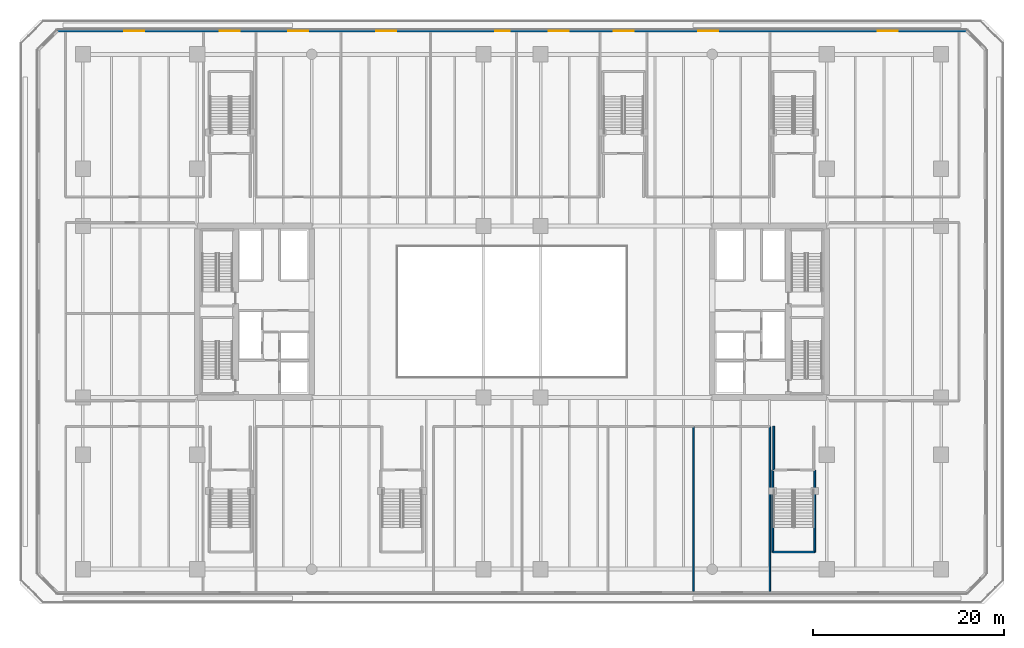
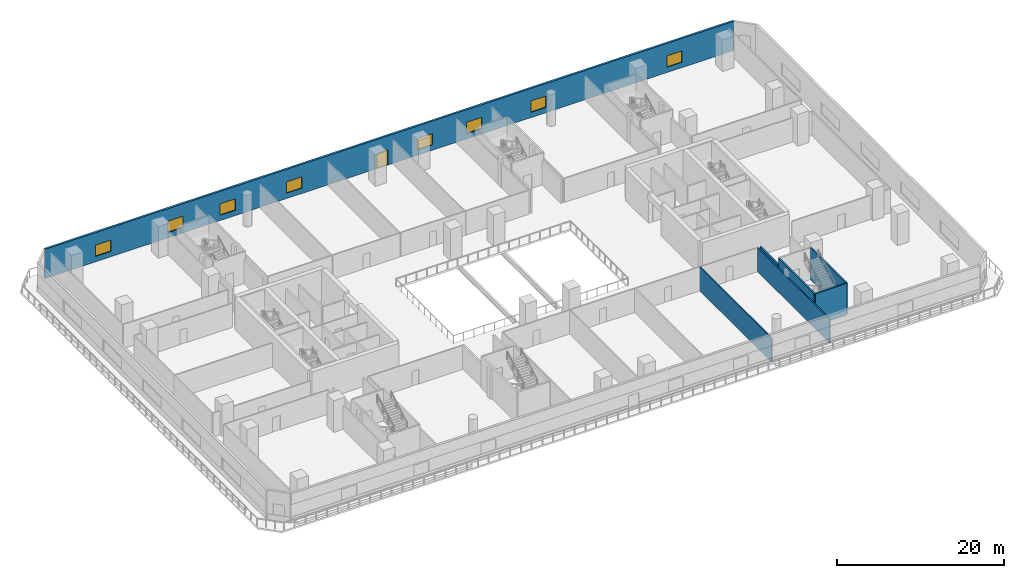
# One storey, part 7 of 27: 8 windows, 7 walls, 1 door, 9 openings.
"""IFC4 building model written with IfcOpenShell, lengths in metres."""

from ifc_helpers import new_model, si_unit, direction, frame, frame_2d, origin, place, context, subcontext, project, spatial, rectangle, extrude, material, layer, layer_set, type_object, element, fill, save


model = new_model("IFC4")

# Units and contexts
model_context = context("Model", 3, precision=1e-05, world=origin(), true_north=direction((0.0, 1.0)))
body_context = subcontext(model_context, "Body", "Model", "MODEL_VIEW")
ifc_project = project(units=[si_unit("LENGTHUNIT", "METRE"), si_unit("AREAUNIT", "SQUARE_METRE"), si_unit("VOLUMEUNIT", "CUBIC_METRE"), si_unit("PLANEANGLEUNIT", "RADIAN"), si_unit("MASSUNIT", "GRAM", prefix="KILO")], contexts=[model_context])

# Site, building, storey
site_placement = place(None, origin())
site = spatial("IfcSite", under=ifc_project, at=site_placement, CompositionType="ELEMENT")
building_placement = place(site_placement, origin())
building = spatial("IfcBuilding", under=site, at=building_placement, Name="Tanjung Sevakor Pilgrim Tower", CompositionType="ELEMENT")
storey_placement = place(building_placement, frame((0.0, 0.0, 19.469970703125)))
storey = spatial("IfcBuildingStorey", under=building, at=storey_placement, Name="L05", CompositionType="ELEMENT", Elevation=19.469970703125)

# Walls
ifc_material_1 = material(Name="Concrete C40/50", Category="concrete")
ifc_layer_1 = layer(ifc_material_1, 0.14990234375)
ifc_layer_set_1 = layer_set([ifc_layer_1], Name="WT-COMP-150")
wall_type_1 = type_object("IfcWallType", Name="WT-COMP-150", PredefinedType="SOLIDWALL", material=ifc_layer_set_1)
for number, where, z_axis, x_axis, name in (
    (1, (76.050048828125, 4.280029296875, 0.0), (0.0, 0.0, 1.0), (0.0, 1.0, 0.0), "L05 Partition IW-L05-045"),
    (2, (84.050048828125, 4.280029296875, 0.0), (0.0, 0.0, 1.0), (0.0, 1.0, 0.0), "L05 Partition IW-L05-047"),
):
    element("IfcWall", number, at=place(storey_placement, frame(where, z_axis=z_axis, x_axis=x_axis)), inside=storey, type_object=wall_type_1, Name=name, PredefinedType="SOLIDWALL", context=body_context, shape_type="SweptSolid", body=[
        extrude(rectangle(XDim=17.27001953125, YDim=0.14990234375, at=frame_2d((8.635009765625, 0.0))), origin(), (0.0, 0.0, 1.0), 3.489990234375),
    ])

# Wall, openings, door, windows
ifc_material_2 = material(Name="Precast concrete C45/55", Category="concrete")
ifc_layer_2 = layer(ifc_material_2, 0.280029296875)
ifc_layer_set_2 = layer_set([ifc_layer_2], Name="WT-EW-STN2")
wall_type_2 = type_object("IfcWallType", Name="WT-EW-STN2", PredefinedType="SOLIDWALL", material=ifc_layer_set_2)
wall_1_placement = place(storey_placement, frame((104.64208984375, 63.06005859375, 0.0), z_axis=(0.0, 0.0, 1.0), x_axis=(-1.0, 0.0, 0.0)))
wall_1 = element("IfcWall", 3, at=wall_1_placement, inside=storey, type_object=wall_type_2, Name="L05 MAIN Exterior Wall 5", PredefinedType="SOLIDWALL", context=body_context, shape_type="SweptSolid", body=[
    extrude(rectangle(XDim=95.2841796875, YDim=0.280029296875, at=frame_2d((47.64208984375, 0.0))), origin(), (0.0, 0.0, 1.0), 4.27001953125),
])
opening_1_placement = place(wall_1_placement, frame((47.89208984375, 0.0, 0.0)))
opening_1 = element("IfcOpeningElement", 4, at=opening_1_placement, cuts=wall_1, Name="Opening ED-TER-1500", PredefinedType="OPENING", context=body_context, shape_type="SweptSolid", body=[
    extrude(rectangle(XDim=1.5, YDim=2.199951171875, at=frame_2d((0.75, 1.10009765625))), frame((0.0, 0.14990234375, 0.0), z_axis=(0.0, -1.0, 0.0), x_axis=(1.0, 0.0, 0.0)), (0.0, 0.0, 1.0), 0.300048828125),
])
opening_2_placement = place(wall_1_placement, frame((86.19189453125, 0.0, 0.780029296875)))
opening_2 = element("IfcOpeningElement", 5, at=opening_2_placement, cuts=wall_1, Name="Opening WN-P2-1660", PredefinedType="OPENING", context=body_context, shape_type="SweptSolid", body=[
    extrude(rectangle(XDim=2.10009765625, YDim=1.659912109375, at=frame_2d((1.050048828125, 0.830078125))), frame((0.0, 0.14990234375, 0.0), z_axis=(0.0, -1.0, 0.0), x_axis=(1.0, 0.0, 0.0)), (0.0, 0.0, 1.0), 0.300048828125),
])
opening_3_placement = place(wall_1_placement, frame((68.991943359375, 0.0, 0.780029296875)))
opening_3 = element("IfcOpeningElement", 6, at=opening_3_placement, cuts=wall_1, Name="Opening WN-P2-1660", PredefinedType="OPENING", context=body_context, shape_type="SweptSolid", body=[
    extrude(rectangle(XDim=2.10009765625, YDim=1.659912109375, at=frame_2d((1.050048828125, 0.830078125))), frame((0.0, 0.14990234375, 0.0), z_axis=(0.0, -1.0, 0.0), x_axis=(1.0, 0.0, 0.0)), (0.0, 0.0, 1.0), 0.300048828125),
])
opening_4_placement = place(wall_1_placement, frame((59.7919921875, 0.0, 0.780029296875)))
opening_4 = element("IfcOpeningElement", 7, at=opening_4_placement, cuts=wall_1, Name="Opening WN-P2-1660", PredefinedType="OPENING", context=body_context, shape_type="SweptSolid", body=[
    extrude(rectangle(XDim=2.10009765625, YDim=1.659912109375, at=frame_2d((1.050048828125, 0.830078125))), frame((0.0, 0.14990234375, 0.0), z_axis=(0.0, -1.0, 0.0), x_axis=(1.0, 0.0, 0.0)), (0.0, 0.0, 1.0), 0.300048828125),
])
opening_5_placement = place(wall_1_placement, frame((41.69189453125, 0.0, 0.780029296875)))
opening_5 = element("IfcOpeningElement", 8, at=opening_5_placement, cuts=wall_1, Name="Opening WN-P2-1660", PredefinedType="OPENING", context=body_context, shape_type="SweptSolid", body=[
    extrude(rectangle(XDim=2.10009765625, YDim=1.659912109375, at=frame_2d((1.050048828125, 0.830078125))), frame((0.0, 0.14990234375, 0.0), z_axis=(0.0, -1.0, 0.0), x_axis=(1.0, 0.0, 0.0)), (0.0, 0.0, 1.0), 0.300048828125),
])
opening_6_placement = place(wall_1_placement, frame((25.991943359375, 0.0, 0.780029296875)))
opening_6 = element("IfcOpeningElement", 9, at=opening_6_placement, cuts=wall_1, Name="Opening WN-P2-1660", PredefinedType="OPENING", context=body_context, shape_type="SweptSolid", body=[
    extrude(rectangle(XDim=2.10009765625, YDim=1.659912109375, at=frame_2d((1.050048828125, 0.830078125))), frame((0.0, 0.14990234375, 0.0), z_axis=(0.0, -1.0, 0.0), x_axis=(1.0, 0.0, 0.0)), (0.0, 0.0, 1.0), 0.300048828125),
])
opening_7_placement = place(wall_1_placement, frame((7.19189453125, 0.0, 0.780029296875)))
opening_7 = element("IfcOpeningElement", 10, at=opening_7_placement, cuts=wall_1, Name="Opening WN-P2-1660", PredefinedType="OPENING", context=body_context, shape_type="SweptSolid", body=[
    extrude(rectangle(XDim=2.10009765625, YDim=1.659912109375, at=frame_2d((1.050048828125, 0.830078125))), frame((0.0, 0.14990234375, 0.0), z_axis=(0.0, -1.0, 0.0), x_axis=(1.0, 0.0, 0.0)), (0.0, 0.0, 1.0), 0.300048828125),
])
opening_8_placement = place(wall_1_placement, frame((34.89208984375, 0.0, 0.780029296875)))
opening_8 = element("IfcOpeningElement", 11, at=opening_8_placement, cuts=wall_1, Name="Opening WN-P2-1660", PredefinedType="OPENING", context=body_context, shape_type="SweptSolid", body=[
    extrude(rectangle(XDim=2.10009765625, YDim=1.659912109375, at=frame_2d((1.050048828125, 0.830078125))), frame((0.0, 0.14990234375, 0.0), z_axis=(0.0, -1.0, 0.0), x_axis=(1.0, 0.0, 0.0)), (0.0, 0.0, 1.0), 0.300048828125),
])
opening_9_placement = place(wall_1_placement, frame((76.19189453125, 0.0, 0.780029296875)))
opening_9 = element("IfcOpeningElement", 12, at=opening_9_placement, cuts=wall_1, Name="Opening WN-P2-1660", PredefinedType="OPENING", context=body_context, shape_type="SweptSolid", body=[
    extrude(rectangle(XDim=2.10009765625, YDim=1.659912109375, at=frame_2d((1.050048828125, 0.830078125))), frame((0.0, 0.14990234375, 0.0), z_axis=(0.0, -1.0, 0.0), x_axis=(1.0, 0.0, 0.0)), (0.0, 0.0, 1.0), 0.300048828125),
])
ifc_material_3 = material(Name="Anodised Aluminium and Laminated Glass", Category="aluminium")
door_type = type_object("IfcDoorType", Name="DTYP-ED-TER-1500", OperationType="DOUBLE_DOOR_SINGLE_SWING", PredefinedType="DOOR", material=ifc_material_3)
door_placement = place(opening_1_placement, frame((1.5, 0.0, 0.0), z_axis=(0.0, 0.0, 1.0), x_axis=(-1.0, 0.0, 0.0)))
door = element("IfcDoor", 13, at=door_placement, inside=storey, type_object=door_type, Name="L05 Cascade Terrace Door N", OperationType="SINGLE_SWING_LEFT", OverallHeight=2.199951171875, OverallWidth=1.5, PredefinedType="DOOR", context=body_context, shape_type="SweptSolid", body=[
    extrude(rectangle(XDim=1.5, YDim=2.199951171875, at=frame_2d((0.75, 1.10009765625))), frame((0.0, 0.02490234375, 0.0), z_axis=(0.0, -1.0, 0.0), x_axis=(1.0, 0.0, 0.0)), (0.0, 0.0, 1.0), 0.050048828125),
])
fill(opening_1, door)
ifc_material_4 = material(Name="Thermally Broken Aluminium and Low-E Glass", Category="aluminium")
window_type = type_object("IfcWindowType", Name="WTYP-WN-P2-1660", PartitioningType="DOUBLE_PANEL_VERTICAL", PredefinedType="WINDOW", material=ifc_material_4)
window_1_placement = place(opening_2_placement, origin())
window_1 = element("IfcWindow", 14, at=window_1_placement, inside=storey, type_object=window_type, Name="L05 Facade Window 01", OverallHeight=1.659912109375, OverallWidth=2.10009765625, PartitioningType="SINGLE_PANEL", PredefinedType="WINDOW", context=body_context, shape_type="SweptSolid", body=[
    extrude(rectangle(XDim=2.10009765625, YDim=1.659912109375, at=frame_2d((1.050048828125, 0.830078125))), frame((0.0, 0.030029296875, 0.0), z_axis=(0.0, -1.0, 0.0), x_axis=(1.0, 0.0, 0.0)), (0.0, 0.0, 1.0), 0.06005859375),
])
fill(opening_2, window_1)
window_2_placement = place(opening_3_placement, origin())
window_2 = element("IfcWindow", 15, at=window_2_placement, inside=storey, type_object=window_type, Name="L05 Facade Window 02", OverallHeight=1.659912109375, OverallWidth=2.10009765625, PartitioningType="SINGLE_PANEL", PredefinedType="WINDOW", context=body_context, shape_type="SweptSolid", body=[
    extrude(rectangle(XDim=2.10009765625, YDim=1.659912109375, at=frame_2d((1.050048828125, 0.830078125))), frame((0.0, 0.030029296875, 0.0), z_axis=(0.0, -1.0, 0.0), x_axis=(1.0, 0.0, 0.0)), (0.0, 0.0, 1.0), 0.06005859375),
])
fill(opening_3, window_2)
window_3_placement = place(opening_4_placement, origin())
window_3 = element("IfcWindow", 16, at=window_3_placement, inside=storey, type_object=window_type, Name="L05 Facade Window 03", OverallHeight=1.659912109375, OverallWidth=2.10009765625, PartitioningType="SINGLE_PANEL", PredefinedType="WINDOW", context=body_context, shape_type="SweptSolid", body=[
    extrude(rectangle(XDim=2.10009765625, YDim=1.659912109375, at=frame_2d((1.050048828125, 0.830078125))), frame((0.0, 0.030029296875, 0.0), z_axis=(0.0, -1.0, 0.0), x_axis=(1.0, 0.0, 0.0)), (0.0, 0.0, 1.0), 0.06005859375),
])
fill(opening_4, window_3)
window_4_placement = place(opening_5_placement, origin())
window_4 = element("IfcWindow", 17, at=window_4_placement, inside=storey, type_object=window_type, Name="L05 Facade Window 04", OverallHeight=1.659912109375, OverallWidth=2.10009765625, PartitioningType="SINGLE_PANEL", PredefinedType="WINDOW", context=body_context, shape_type="SweptSolid", body=[
    extrude(rectangle(XDim=2.10009765625, YDim=1.659912109375, at=frame_2d((1.050048828125, 0.830078125))), frame((0.0, 0.030029296875, 0.0), z_axis=(0.0, -1.0, 0.0), x_axis=(1.0, 0.0, 0.0)), (0.0, 0.0, 1.0), 0.06005859375),
])
fill(opening_5, window_4)
window_5_placement = place(opening_6_placement, origin())
window_5 = element("IfcWindow", 18, at=window_5_placement, inside=storey, type_object=window_type, Name="L05 Facade Window 05", OverallHeight=1.659912109375, OverallWidth=2.10009765625, PartitioningType="SINGLE_PANEL", PredefinedType="WINDOW", context=body_context, shape_type="SweptSolid", body=[
    extrude(rectangle(XDim=2.10009765625, YDim=1.659912109375, at=frame_2d((1.050048828125, 0.830078125))), frame((0.0, 0.030029296875, 0.0), z_axis=(0.0, -1.0, 0.0), x_axis=(1.0, 0.0, 0.0)), (0.0, 0.0, 1.0), 0.06005859375),
])
fill(opening_6, window_5)
window_6_placement = place(opening_7_placement, origin())
window_6 = element("IfcWindow", 19, at=window_6_placement, inside=storey, type_object=window_type, Name="L05 Facade Window 06", OverallHeight=1.659912109375, OverallWidth=2.10009765625, PartitioningType="SINGLE_PANEL", PredefinedType="WINDOW", context=body_context, shape_type="SweptSolid", body=[
    extrude(rectangle(XDim=2.10009765625, YDim=1.659912109375, at=frame_2d((1.050048828125, 0.830078125))), frame((0.0, 0.030029296875, 0.0), z_axis=(0.0, -1.0, 0.0), x_axis=(1.0, 0.0, 0.0)), (0.0, 0.0, 1.0), 0.06005859375),
])
fill(opening_7, window_6)
window_7_placement = place(opening_8_placement, origin())
window_7 = element("IfcWindow", 20, at=window_7_placement, inside=storey, type_object=window_type, Name="L05 Facade Window 07", OverallHeight=1.659912109375, OverallWidth=2.10009765625, PartitioningType="SINGLE_PANEL", PredefinedType="WINDOW", context=body_context, shape_type="SweptSolid", body=[
    extrude(rectangle(XDim=2.10009765625, YDim=1.659912109375, at=frame_2d((1.050048828125, 0.830078125))), frame((0.0, 0.030029296875, 0.0), z_axis=(0.0, -1.0, 0.0), x_axis=(1.0, 0.0, 0.0)), (0.0, 0.0, 1.0), 0.06005859375),
])
fill(opening_8, window_7)
window_8_placement = place(opening_9_placement, origin())
window_8 = element("IfcWindow", 21, at=window_8_placement, inside=storey, type_object=window_type, Name="L05 Facade Window 08", OverallHeight=1.659912109375, OverallWidth=2.10009765625, PartitioningType="SINGLE_PANEL", PredefinedType="WINDOW", context=body_context, shape_type="SweptSolid", body=[
    extrude(rectangle(XDim=2.10009765625, YDim=1.659912109375, at=frame_2d((1.050048828125, 0.830078125))), frame((0.0, 0.030029296875, 0.0), z_axis=(0.0, -1.0, 0.0), x_axis=(1.0, 0.0, 0.0)), (0.0, 0.0, 1.0), 0.06005859375),
])
fill(opening_9, window_8)

# Walls
ifc_material_5 = material(Name="Concrete C40/50", Category="concrete")
ifc_layer_3 = layer(ifc_material_5, 0.199951171875)
ifc_layer_set_3 = layer_set([ifc_layer_3], Name="WT-FIRE-200")
wall_type_3 = type_object("IfcWallType", Name="WT-FIRE-200", PredefinedType="SOLIDWALL", material=ifc_layer_set_3)
wall_2_placement = place(storey_placement, frame((84.35009765625, 8.39990234375, 0.0), z_axis=(0.0, 0.0, 1.0), x_axis=(1.0, 0.0, 0.0)))
element("IfcWall", 22, at=wall_2_placement, inside=storey, type_object=wall_type_3, Name="L05 PS-5 Shaft Wall 1", PredefinedType="SOLIDWALL", context=body_context, shape_type="SweptSolid", body=[
    extrude(rectangle(XDim=4.39990234375, YDim=0.199951171875, at=frame_2d((2.199951171875, 0.0))), origin(), (0.0, 0.0, 1.0), 4.6201171875),
])
for number, where, z_axis, x_axis, name in (
    (23, (88.75, 8.39990234375, 0.0), (0.0, 0.0, 1.0), (0.0, 1.0, 0.0), "L05 PS-5 Shaft Wall 2"),
    (24, (84.35009765625, 17.0, 0.0), (0.0, 0.0, 1.0), (0.0, -1.0, 0.0), "L05 PS-5 Shaft Wall 4"),
):
    element("IfcWall", number, at=place(storey_placement, frame(where, z_axis=z_axis, x_axis=x_axis)), inside=storey, type_object=wall_type_3, Name=name, PredefinedType="SOLIDWALL", context=body_context, shape_type="SweptSolid", body=[
        extrude(rectangle(XDim=8.60009765625, YDim=0.199951171875, at=frame_2d((4.300048828125, 0.0))), origin(), (0.0, 0.0, 1.0), 4.6201171875),
    ])
ifc_material_6 = material(Name="Concrete C40/50", Category="concrete")
ifc_layer_4 = layer(ifc_material_6, 0.199951171875)
ifc_layer_set_4 = layer_set([ifc_layer_4], Name="WT-FPRT-200")
wall_type_4 = type_object("IfcWallType", Name="WT-FPRT-200", PredefinedType="SOLIDWALL", material=ifc_layer_set_4)
wall_3_placement = place(storey_placement, frame((84.449951171875, 17.0, 0.0), z_axis=(0.0, 0.0, 1.0), x_axis=(0.0, 1.0, 0.0)))
element("IfcWall", 25, at=wall_3_placement, inside=storey, type_object=wall_type_4, Name="L05 Partition IW-L05-029", PredefinedType="SOLIDWALL", context=body_context, shape_type="SweptSolid", body=[
    extrude(rectangle(XDim=4.60009765625, YDim=0.199951171875, at=frame_2d((2.300048828125, 0.0))), origin(), (0.0, 0.0, 1.0), 3.489990234375),
])

save(model, "model.ifc")
